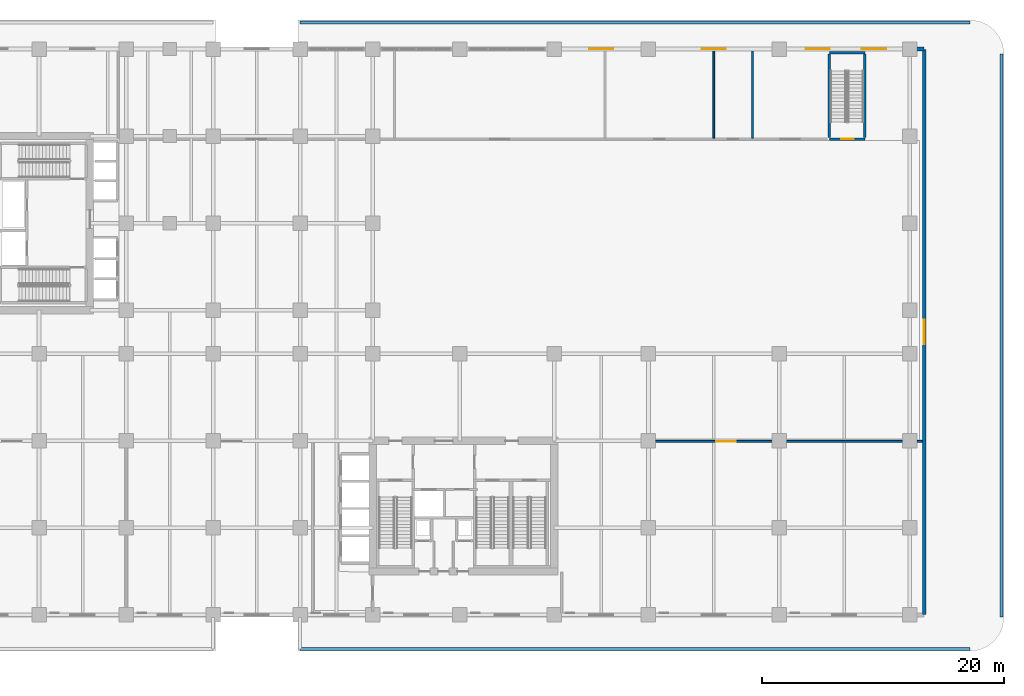
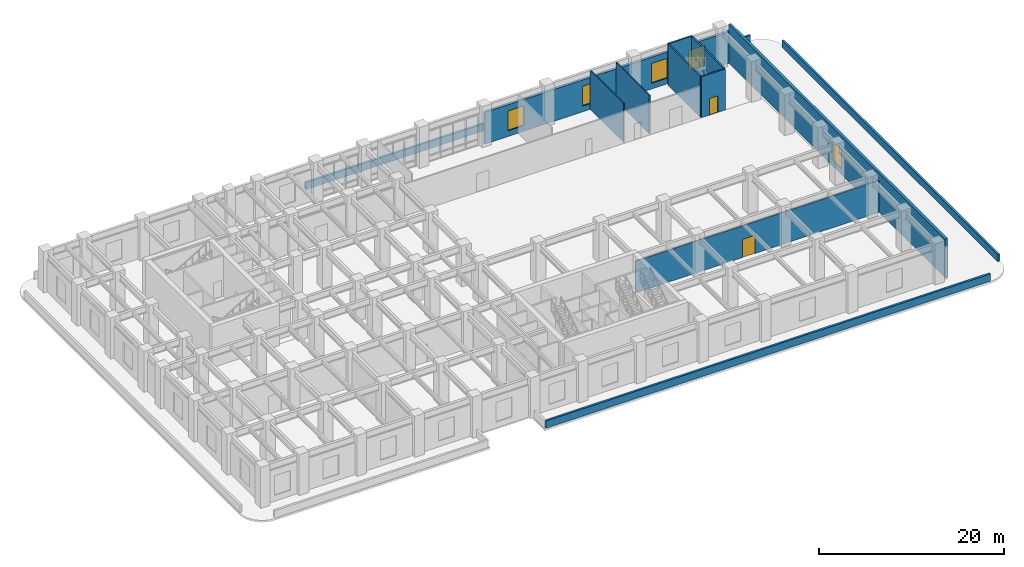
# One storey, part 14 of 20: 12 walls, 5 windows, 2 doors, 7 openings.
"""IFC4 building model written with IfcOpenShell, lengths in metres."""

from ifc_helpers import new_model, si_unit, derived_unit, direction, frame, frame_2d, origin, place, context, subcontext, project, spatial, rectangle, extrude, source, transform, mapped, material, layer, layer_set, type_object, type_shapes, element, fill, save


model = new_model("IFC4")

# Units and contexts
model_context = context("Model", 3, precision=1e-05, world=origin(), true_north=direction((0.0, 1.0)))
body_context = subcontext(model_context, "Body", "Model", "MODEL_VIEW")
ifc_project = project(units=[si_unit("LENGTHUNIT", "METRE"), si_unit("AREAUNIT", "SQUARE_METRE"), si_unit("VOLUMEUNIT", "CUBIC_METRE"), si_unit("PLANEANGLEUNIT", "RADIAN"), si_unit("MASSUNIT", "GRAM", prefix="KILO"), si_unit("THERMODYNAMICTEMPERATUREUNIT", "KELVIN"), si_unit("POWERUNIT", "WATT"), derived_unit("THERMALTRANSMITTANCEUNIT", [(si_unit("POWERUNIT", "WATT"), 1), (si_unit("AREAUNIT", "SQUARE_METRE"), -1), (si_unit("THERMODYNAMICTEMPERATUREUNIT", "KELVIN"), -1)])], contexts=[model_context])

# Site, building, storey
site_placement = place(None, origin())
site = spatial("IfcSite", under=ifc_project, at=site_placement, CompositionType="ELEMENT")
building_placement = place(site_placement, origin())
building = spatial("IfcBuilding", under=site, at=building_placement, Name="Zahravan Archway Hotel and Residences", CompositionType="ELEMENT")
storey_placement = place(building_placement, frame((0.0, 0.0, 16.199951171875)))
storey = spatial("IfcBuildingStorey", under=building, at=storey_placement, Name="L03", CompositionType="ELEMENT", Elevation=16.199951171875)

# Walls
ifc_material_1 = material(Name="Agra Buff Sandstone Coping Wall", Category="masonry")
ifc_layer_1 = layer(ifc_material_1, 0.25, Name="Agra Buff Sandstone Coping Wall", Category="masonry")
ifc_layer_set_1 = layer_set([ifc_layer_1], Name="Agra Buff Sandstone Coping Wall")
wall_type_1 = type_object("IfcWallType", Name="EW-PARA-250", PredefinedType="PARAPET", material=ifc_layer_set_1)
wall_1_placement = place(storey_placement, frame((86.800048828125, 46.386962890625, 0.0), z_axis=(0.0, 0.0, 1.0), x_axis=(0.0, -1.0, 0.0)))
element("IfcWall", 1, at=wall_1_placement, inside=storey, type_object=wall_type_1, Name="L03 Portico Coping Parapet 1", PredefinedType="PARAPET", context=body_context, shape_type="SweptSolid", body=[
    extrude(rectangle(XDim=46.573974609375, YDim=0.25, at=frame_2d((23.287109375, 0.0))), origin(), (0.0, 0.0, 1.0), 0.949951171875),
])
for number, where, z_axis, x_axis, name in (
    (2, (84.18701171875, -2.800048828125, 0.0), (0.0, 0.0, 1.0), (-1.0, 0.0, 0.0), "L03 Portico Coping Parapet 2"),
    (3, (28.800048828125, 49.0, 0.0), (0.0, 0.0, 1.0), (1.0, 0.0, 0.0), "L03 Portico Coping Parapet 4"),
):
    element("IfcWall", number, at=place(storey_placement, frame(where, z_axis=z_axis, x_axis=x_axis)), inside=storey, type_object=wall_type_1, Name=name, PredefinedType="PARAPET", context=body_context, shape_type="SweptSolid", body=[
        extrude(rectangle(XDim=55.386962890625, YDim=0.25, at=frame_2d((27.693359375, 0.0))), origin(), (0.0, 0.0, 1.0), 0.949951171875),
    ])

# Wall, opening, window
ifc_material_2 = material(Name="Agra Buff Sandstone & Insulated Backup", Category="masonry")
ifc_layer_2 = layer(ifc_material_2, 0.320068359375, Name="Agra Buff Sandstone & Insulated Backup", Category="masonry")
ifc_layer_set_2 = layer_set([ifc_layer_2], Name="Agra Buff Sandstone & Insulated Backup")
wall_type_2 = type_object("IfcWallType", Name="EW-SAND-320", PredefinedType="SOLIDWALL", material=ifc_layer_set_2)
wall_2_placement = place(storey_placement, frame((80.39990234375, 0.050048828125, 0.0), z_axis=(0.0, 0.0, 1.0), x_axis=(0.0, 1.0, 0.0)))
wall_2 = element("IfcWall", 4, at=wall_2_placement, inside=storey, type_object=wall_type_2, Name="L03 Podium Sandstone E Wall", PredefinedType="SOLIDWALL", context=body_context, shape_type="SweptSolid", body=[
    extrude(rectangle(XDim=46.699951171875, YDim=0.320068359375, at=frame_2d((23.35009765625, 0.0))), origin(), (0.0, 0.0, 1.0), 5.10009765625),
])
opening_1_placement = place(wall_2_placement, frame((22.35009765625, 0.0, 0.75)))
opening_1 = element("IfcOpeningElement", 5, at=opening_1_placement, cuts=wall_2, Name="Opening W-01", PredefinedType="OPENING", context=body_context, shape_type="SweptSolid", body=[
    extrude(rectangle(XDim=2.0, YDim=2.60009765625, at=frame_2d((1.0, 1.300048828125))), frame((0.0, 0.169921875, 0.0), z_axis=(0.0, -1.0, 0.0), x_axis=(1.0, 0.0, 0.0)), (0.0, 0.0, 1.0), 0.340087890625),
])
ifc_material_3 = material(Name="Bronze-Anodized Thermal-Break Aluminium & Low-E Glass", Category="aluminium")
window_type = type_object("IfcWindowType", Name="WIN-ARC-2000", PartitioningType="DOUBLE_PANEL_VERTICAL", PredefinedType="WINDOW", material=ifc_material_3)
shared_shape_1 = source(origin(), body_context, "Body", "SweptSolid", [
    extrude(rectangle(XDim=2.0, YDim=2.60009765625, at=frame_2d((1.0, 1.300048828125))), frame((0.0, 0.030029296875, 0.0), z_axis=(0.0, -1.0, 0.0), x_axis=(1.0, 0.0, 0.0)), (0.0, 0.0, 1.0), 0.06005859375),
])
type_shapes(window_type, [shared_shape_1])
window_1_placement = place(opening_1_placement, origin())
window_1 = element("IfcWindow", 6, at=window_1_placement, inside=storey, type_object=window_type, Name="L03 Podium Mughal Arch Window 12", OverallHeight=2.60009765625, OverallWidth=2.0, PartitioningType="DOUBLE_PANEL_VERTICAL", PredefinedType="WINDOW", context=body_context, shape_type="MappedRepresentation", body=[
    mapped(shared_shape_1, transform((0.0, 0.0, 0.0), scale=1.0)),
])
fill(opening_1, window_1)

# Wall, openings, windows
wall_3_placement = place(storey_placement, frame((49.800048828125, 46.800048828125, 0.0), z_axis=(0.0, 0.0, 1.0), x_axis=(1.0, 0.0, 0.0)))
wall_3 = element("IfcWall", 7, at=wall_3_placement, inside=storey, type_object=wall_type_2, Name="L03 Podium Sandstone NE Wall", PredefinedType="SOLIDWALL", context=body_context, shape_type="SweptSolid", body=[
    extrude(rectangle(XDim=30.599853515625, YDim=0.320068359375, at=frame_2d((15.2998046875, 0.0))), origin(), (0.0, 0.0, 1.0), 4.18505859375),
])
opening_2_placement = place(wall_3_placement, frame((2.89990234375, 0.0, 0.75)))
opening_2 = element("IfcOpeningElement", 8, at=opening_2_placement, cuts=wall_3, Name="Opening W-01", PredefinedType="OPENING", context=body_context, shape_type="SweptSolid", body=[
    extrude(rectangle(XDim=2.0, YDim=2.60009765625, at=frame_2d((1.0, 1.300048828125))), frame((0.0, 0.169921875, 0.0), z_axis=(0.0, -1.0, 0.0), x_axis=(1.0, 0.0, 0.0)), (0.0, 0.0, 1.0), 0.340087890625),
])
opening_3_placement = place(wall_3_placement, frame((12.199951171875, 0.0, 0.75)))
opening_3 = element("IfcOpeningElement", 9, at=opening_3_placement, cuts=wall_3, Name="Opening W-01", PredefinedType="OPENING", context=body_context, shape_type="SweptSolid", body=[
    extrude(rectangle(XDim=2.0, YDim=2.60009765625, at=frame_2d((1.0, 1.300048828125))), frame((0.0, 0.169921875, 0.0), z_axis=(0.0, -1.0, 0.0), x_axis=(1.0, 0.0, 0.0)), (0.0, 0.0, 1.0), 0.340087890625),
])
opening_4_placement = place(wall_3_placement, frame((20.784912109375, 0.0, 0.75)))
opening_4 = element("IfcOpeningElement", 10, at=opening_4_placement, cuts=wall_3, Name="Opening W-01", PredefinedType="OPENING", context=body_context, shape_type="SweptSolid", body=[
    extrude(rectangle(XDim=2.0, YDim=2.60009765625, at=frame_2d((1.0, 1.300048828125))), frame((0.0, 0.169921875, 0.0), z_axis=(0.0, -1.0, 0.0), x_axis=(1.0, 0.0, 0.0)), (0.0, 0.0, 1.0), 0.340087890625),
])
opening_5_placement = place(wall_3_placement, frame((25.445068359375, 0.0, 0.75)))
opening_5 = element("IfcOpeningElement", 11, at=opening_5_placement, cuts=wall_3, Name="Opening W-01", PredefinedType="OPENING", context=body_context, shape_type="SweptSolid", body=[
    extrude(rectangle(XDim=2.0, YDim=2.60009765625, at=frame_2d((1.0, 1.300048828125))), frame((0.0, 0.169921875, 0.0), z_axis=(0.0, -1.0, 0.0), x_axis=(1.0, 0.0, 0.0)), (0.0, 0.0, 1.0), 0.340087890625),
])
window_2_placement = place(opening_2_placement, origin())
window_2 = element("IfcWindow", 12, at=window_2_placement, inside=storey, type_object=window_type, Name="L03 Podium Mughal Arch Window 17", OverallHeight=2.60009765625, OverallWidth=2.0, PartitioningType="DOUBLE_PANEL_VERTICAL", PredefinedType="WINDOW", context=body_context, shape_type="MappedRepresentation", body=[
    mapped(shared_shape_1, transform((0.0, 0.0, 0.0), scale=1.0)),
])
fill(opening_2, window_2)
window_3_placement = place(opening_3_placement, origin())
window_3 = element("IfcWindow", 13, at=window_3_placement, inside=storey, type_object=window_type, Name="L03 Podium Mughal Arch Window 18", OverallHeight=2.60009765625, OverallWidth=2.0, PartitioningType="DOUBLE_PANEL_VERTICAL", PredefinedType="WINDOW", context=body_context, shape_type="MappedRepresentation", body=[
    mapped(shared_shape_1, transform((0.0, 0.0, 0.0), scale=1.0)),
])
fill(opening_3, window_3)
window_4_placement = place(opening_4_placement, origin())
window_4 = element("IfcWindow", 14, at=window_4_placement, inside=storey, type_object=window_type, Name="L03 Podium Mughal Arch Window 19", OverallHeight=2.60009765625, OverallWidth=2.0, PartitioningType="DOUBLE_PANEL_VERTICAL", PredefinedType="WINDOW", context=body_context, shape_type="MappedRepresentation", body=[
    mapped(shared_shape_1, transform((0.0, 0.0, 0.0), scale=1.0)),
])
fill(opening_4, window_4)
window_5_placement = place(opening_5_placement, origin())
window_5 = element("IfcWindow", 15, at=window_5_placement, inside=storey, type_object=window_type, Name="L03 Podium Mughal Arch Window 20", OverallHeight=2.60009765625, OverallWidth=2.0, PartitioningType="DOUBLE_PANEL_VERTICAL", PredefinedType="WINDOW", context=body_context, shape_type="MappedRepresentation", body=[
    mapped(shared_shape_1, transform((0.0, 0.0, 0.0), scale=1.0)),
])
fill(opening_5, window_5)

# Wall, opening, door
ifc_material_4 = material(Name="Fire-Rated Gypsum & Concrete Block", Category="concrete")
ifc_layer_3 = layer(ifc_material_4, 0.159912109375, Name="Fire-Rated Gypsum & Concrete Block", Category="concrete")
ifc_layer_set_3 = layer_set([ifc_layer_3], Name="Fire-Rated Gypsum & Concrete Block")
wall_type_3 = type_object("IfcWallType", Name="PW-CORR-160", PredefinedType="PARTITIONING", material=ifc_layer_set_3)
wall_4_placement = place(storey_placement, frame((49.889892578125, 14.35009765625, 0.0), z_axis=(0.0, 0.0, 1.0), x_axis=(1.0, 0.0, 0.0)))
wall_4 = element("IfcWall", 16, at=wall_4_placement, inside=storey, type_object=wall_type_3, Name="L03 Partition L03-GSE", PredefinedType="PARTITIONING", context=body_context, shape_type="SweptSolid", body=[
    extrude(rectangle(XDim=30.342041015625, YDim=0.159912109375, at=frame_2d((15.1708984375, 0.0))), origin(), (0.0, 0.0, 1.0), 4.18505859375),
])
opening_6_placement = place(wall_4_placement, frame((13.31005859375, 0.0, 0.0)))
opening_6 = element("IfcOpeningElement", 17, at=opening_6_placement, cuts=wall_4, Name="Opening D-P2", PredefinedType="OPENING", context=body_context, shape_type="SweptSolid", body=[
    extrude(rectangle(XDim=1.60009765625, YDim=2.39990234375, at=frame_2d((0.800048828125, 1.199951171875))), frame((0.0, 0.08984375, 0.0), z_axis=(0.0, -1.0, 0.0), x_axis=(1.0, 0.0, 0.0)), (0.0, 0.0, 1.0), 0.179931640625),
])
ifc_material_5 = material(Name="Bronze-Anodized Glazed Aluminium", Category="aluminium")
door_type_1 = type_object("IfcDoorType", Name="ID-PUBLIC-1600", OperationType="DOUBLE_DOOR_SINGLE_SWING", PredefinedType="DOOR", material=ifc_material_5)
shared_shape_2 = source(origin(), body_context, "Body", "SweptSolid", [
    extrude(rectangle(XDim=1.60009765625, YDim=2.39990234375, at=frame_2d((0.800048828125, 1.199951171875))), frame((0.0, 0.02490234375, 0.0), z_axis=(0.0, -1.0, 0.0), x_axis=(1.0, 0.0, 0.0)), (0.0, 0.0, 1.0), 0.050048828125),
])
type_shapes(door_type_1, [shared_shape_2])
door_1_placement = place(opening_6_placement, origin())
door_1 = element("IfcDoor", 18, at=door_1_placement, inside=storey, type_object=door_type_1, Name="L03 Symposium Lecture Auditorium Door", OperationType="DOUBLE_DOOR_SINGLE_SWING", OverallHeight=2.39990234375, OverallWidth=1.60009765625, PredefinedType="DOOR", context=body_context, shape_type="MappedRepresentation", body=[
    mapped(shared_shape_2, transform((0.0, 0.0, 0.0), scale=1.0)),
])
fill(opening_6, door_1)

# Walls
ifc_material_6 = material(Name="Moisture-Resistant Blockwork", Category="masonry")
ifc_layer_4 = layer(ifc_material_6, 0.139892578125, Name="Moisture-Resistant Blockwork", Category="masonry")
ifc_layer_set_4 = layer_set([ifc_layer_4], Name="Moisture-Resistant Blockwork")
wall_type_4 = type_object("IfcWallType", Name="PW-WET-140", PredefinedType="PARTITIONING", material=ifc_layer_set_4)
for number, where, z_axis, x_axis, name in (
    (19, (63.0, 39.43994140625, 0.0), (0.0, 0.0, 1.0), (0.0, 1.0, 0.0), "L03 Partition L03-NV3"),
    (20, (66.199951171875, 39.43994140625, 0.0), (0.0, 0.0, 1.0), (0.0, 1.0, 0.0), "L03 Partition L03-NV4"),
):
    element("IfcWall", number, at=place(storey_placement, frame(where, z_axis=z_axis, x_axis=x_axis)), inside=storey, type_object=wall_type_4, Name=name, PredefinedType="PARTITIONING", context=body_context, shape_type="SweptSolid", body=[
        extrude(rectangle(XDim=7.192138671875, YDim=0.139892578125, at=frame_2d((3.59619140625, 0.0))), origin(), (0.0, 0.0, 1.0), 5.10009765625),
    ])
ifc_material_7 = material(Name="Concrete C50/60", Category="concrete")
ifc_layer_5 = layer(ifc_material_7, 0.199951171875, Name="Concrete C50/60", Category="concrete")
ifc_layer_set_5 = layer_set([ifc_layer_5], Name="Concrete C50/60")
wall_type_5 = type_object("IfcWallType", Name="SW-STAIR-200", PredefinedType="SHEAR", material=ifc_layer_set_5)
for number, where, z_axis, x_axis, name in (
    (21, (72.56005859375, 39.469970703125, 0.0), (0.0, 0.0, 1.0), (0.0, 1.0, 0.0), "L03 Stairwell RC Wall SP1-W"),
    (22, (75.5, 39.469970703125, 0.0), (0.0, 0.0, 1.0), (0.0, 1.0, 0.0), "L03 Stairwell RC Wall SP1-E"),
):
    element("IfcWall", number, at=place(storey_placement, frame(where, z_axis=z_axis, x_axis=x_axis)), inside=storey, type_object=wall_type_5, Name=name, PredefinedType="SHEAR", context=body_context, shape_type="SweptSolid", body=[
        extrude(rectangle(XDim=6.909912109375, YDim=0.199951171875, at=frame_2d((3.455078125, 0.0))), origin(), (0.0, 0.0, 1.0), 5.400146484375),
    ])
wall_5_placement = place(storey_placement, frame((72.56005859375, 46.5, 0.0), z_axis=(0.0, 0.0, 1.0), x_axis=(1.0, 0.0, 0.0)))
element("IfcWall", 23, at=wall_5_placement, inside=storey, type_object=wall_type_5, Name="L03 Stairwell RC Wall SP1-N", PredefinedType="SHEAR", context=body_context, shape_type="SweptSolid", body=[
    extrude(rectangle(XDim=2.93994140625, YDim=0.199951171875, at=frame_2d((1.469970703125, 0.0))), origin(), (0.0, 0.0, 1.0), 5.400146484375),
])

# Wall, opening, door
wall_6_placement = place(storey_placement, frame((72.56005859375, 39.35009765625, 0.0), z_axis=(0.0, 0.0, 1.0), x_axis=(1.0, 0.0, 0.0)))
wall_6 = element("IfcWall", 24, at=wall_6_placement, inside=storey, type_object=wall_type_5, Name="L03 Stairwell RC Wall SP1-S", PredefinedType="SHEAR", context=body_context, shape_type="SweptSolid", body=[
    extrude(rectangle(XDim=2.93994140625, YDim=0.199951171875, at=frame_2d((1.469970703125, 0.0))), origin(), (0.0, 0.0, 1.0), 5.400146484375),
])
opening_7_placement = place(wall_6_placement, frame((0.985107421875, 0.0, 0.0)))
opening_7 = element("IfcOpeningElement", 25, at=opening_7_placement, cuts=wall_6, Name="Opening FD-S1", PredefinedType="OPENING", context=body_context, shape_type="SweptSolid", body=[
    extrude(rectangle(XDim=1.050048828125, YDim=2.199951171875, at=frame_2d((0.52490234375, 1.10009765625))), frame((0.0, 0.10986328125, 0.0), z_axis=(0.0, -1.0, 0.0), x_axis=(1.0, 0.0, 0.0)), (0.0, 0.0, 1.0), 0.219970703125),
])
ifc_material_8 = material(Name="Fire-Rated Painted Steel", Category="steel")
door_type_2 = type_object("IfcDoorType", Name="FD-STAIR-1100", OperationType="NOTDEFINED", PredefinedType="DOOR", material=ifc_material_8)
shared_shape_3 = source(origin(), body_context, "Body", "SweptSolid", [
    extrude(rectangle(XDim=1.050048828125, YDim=2.199951171875, at=frame_2d((0.52490234375, 1.10009765625))), frame((0.0, 0.02490234375, 0.0), z_axis=(0.0, -1.0, 0.0), x_axis=(1.0, 0.0, 0.0)), (0.0, 0.0, 1.0), 0.050048828125),
])
type_shapes(door_type_2, [shared_shape_3])
door_2_placement = place(opening_7_placement, origin())
door_2 = element("IfcDoor", 26, at=door_2_placement, inside=storey, type_object=door_type_2, Name="L03 Stair ST-P1 Door", OperationType="SINGLE_SWING_LEFT", OverallHeight=2.199951171875, OverallWidth=1.050048828125, PredefinedType="DOOR", context=body_context, shape_type="MappedRepresentation", body=[
    mapped(shared_shape_3, transform((0.0, 0.0, 0.0), scale=1.0)),
])
fill(opening_7, door_2)

save(model, "model.ifc")
